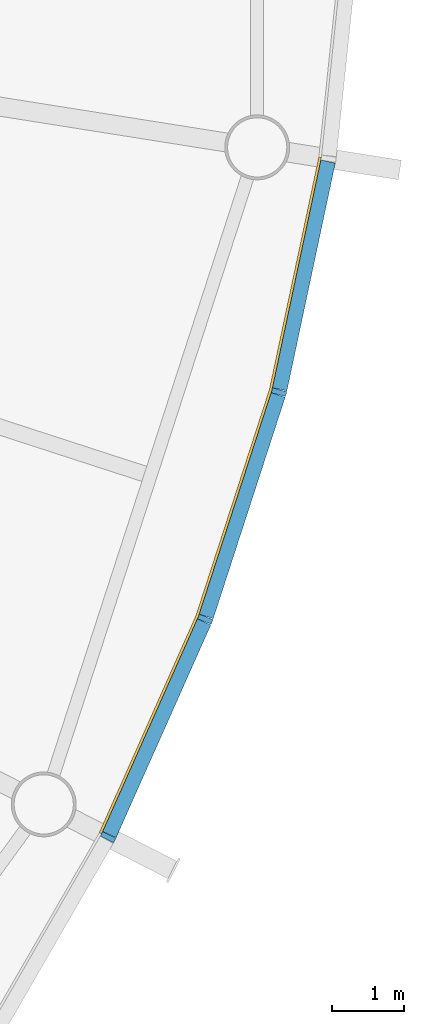
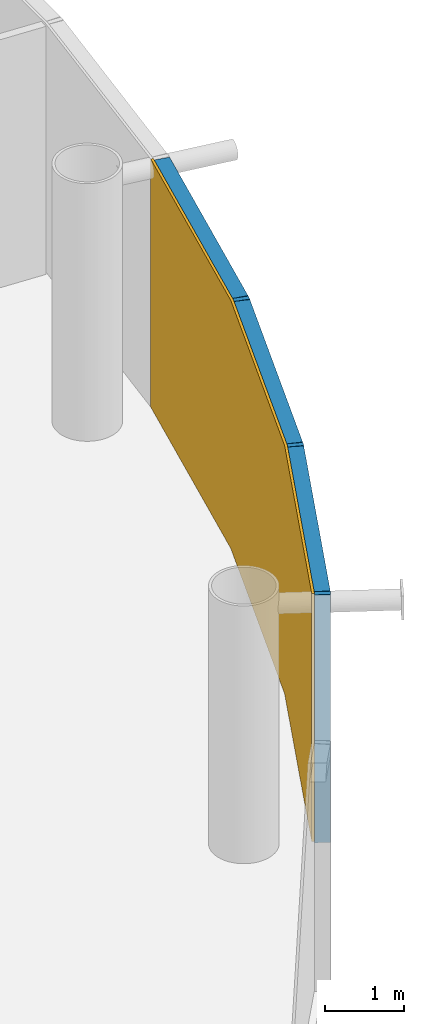
# One storey, part 15 of 19: 6 members, 1 curtain wall.
"""IFC4 building model written with IfcOpenShell, lengths in metres."""

from ifc_helpers import new_model, si_unit, direction, frame, origin, origin_2d, place, context, subcontext, project, spatial, polyline, rectangle, outline, extrude, material, layer, layer_set, material_profile, profile_set, type_object, element, aggregate, save


model = new_model("IFC4")

# Units and contexts
model_context = context("Model", 3, precision=1e-05, world=origin(), true_north=direction((0.0, 1.0)))
body_context = subcontext(model_context, "Body", "Model", "MODEL_VIEW")
ifc_project = project(units=[si_unit("LENGTHUNIT", "METRE"), si_unit("AREAUNIT", "SQUARE_METRE"), si_unit("VOLUMEUNIT", "CUBIC_METRE"), si_unit("PLANEANGLEUNIT", "RADIAN"), si_unit("MASSUNIT", "GRAM", prefix="KILO")], contexts=[model_context])

# Member
ifc_material_1 = material(Name="Anodised aluminium", Category="aluminium")
ifc_material_profile_1 = material_profile(ifc_material_1, rectangle(XDim=0.070068359375, YDim=0.205078125, at=origin_2d()), Name="Mullion 70 x 205 mm anodised aluminium")
ifc_profile_set_1 = profile_set([ifc_material_profile_1], Name="Anodised aluminium")
member_type_1 = type_object("IfcMemberType", Name="Mullion 70 x 205 mm anodised aluminium", PredefinedType="MULLION", material=ifc_profile_set_1)
site_placement = place(None, origin())
building_placement = place(site_placement, origin())
storey_placement = place(building_placement, frame((0.0, 0.0, 368.0)))
member_1_placement = place(storey_placement, frame((118.157958984375, 65.65283203125, 0.0), z_axis=(0.0, 0.0, 1.0), x_axis=(0.45399049974, 0.891006524188, 0.0)))
member_1 = element("IfcMember", 1, at=member_1_placement, type_object=member_type_1, Name="MULLION L85-54", PredefinedType="MULLION", context=body_context, shape_type="SweptSolid", body=[
    extrude(rectangle(XDim=0.070068359375, YDim=0.205078125, at=origin_2d()), origin(), (0.0, 0.0, 1.0), 3.85009765625),
])

member_2_placement = place(storey_placement, frame((119.50341796875, 68.674560546875, 0.0), z_axis=(0.0, 0.0, 1.0), x_axis=(0.358367949545, 0.933580426497, 0.0)))
member_2 = element("IfcMember", 2, at=member_2_placement, type_object=member_type_1, Name="MULLION L85-55", PredefinedType="MULLION", context=body_context, shape_type="SweptSolid", body=[
    extrude(rectangle(XDim=0.070068359375, YDim=0.205078125, at=origin_2d()), origin(), (0.0, 0.0, 1.0), 3.85009765625),
])

member_3_placement = place(storey_placement, frame((120.525634765625, 71.820556640625, 0.0), z_axis=(0.0, 0.0, 1.0), x_axis=(0.258819045103, 0.965925826289, 0.0)))
member_3 = element("IfcMember", 3, at=member_3_placement, type_object=member_type_1, Name="MULLION L85-56", PredefinedType="MULLION", context=body_context, shape_type="SweptSolid", body=[
    extrude(rectangle(XDim=0.070068359375, YDim=0.205078125, at=origin_2d()), origin(), (0.0, 0.0, 1.0), 3.85009765625),
])

ifc_material_2 = material(Name="Anodised aluminium", Category="aluminium")
ifc_material_profile_2 = material_profile(ifc_material_2, rectangle(XDim=0.205078125, YDim=0.195068359375, at=origin_2d()), Name="Transom 195 x 205 mm anodised aluminium")
ifc_profile_set_2 = profile_set([ifc_material_profile_2], Name="Anodised aluminium")
member_type_2 = type_object("IfcMemberType", Name="Transom 195 x 205 mm anodised aluminium", PredefinedType="USERDEFINED", material=ifc_profile_set_2)
member_4_placement = place(storey_placement, frame((118.174560546875, 65.689697265625, 3.75244140625), z_axis=(0.406791170024, 0.913521178731, 0.0), x_axis=(-0.913521178731, 0.406791170024, 0.0)))
member_4 = element("IfcMember", 4, at=member_4_placement, type_object=member_type_2, Name="TRANSOM L85-54", ObjectType="TRANSOM", PredefinedType="USERDEFINED", context=body_context, shape_type="SweptSolid", body=[
    extrude(rectangle(XDim=0.205078125, YDim=0.195068359375, at=origin_2d()), origin(), (0.0, 0.0, 1.0), 3.22705078125),
])

member_5_placement = place(storey_placement, frame((119.51611328125, 68.713134765625, 3.75244140625), z_axis=(0.309046726844, 0.951046855117, 0.0), x_axis=(-0.951046855117, 0.309046726844, 0.0)))
member_5 = element("IfcMember", 5, at=member_5_placement, type_object=member_type_2, Name="TRANSOM L85-55", ObjectType="TRANSOM", PredefinedType="USERDEFINED", context=body_context, shape_type="SweptSolid", body=[
    extrude(rectangle(XDim=0.205078125, YDim=0.195068359375, at=origin_2d()), origin(), (0.0, 0.0, 1.0), 3.22705078125),
])

member_6_placement = place(storey_placement, frame((120.5341796875, 71.860107421875, 3.75244140625), z_axis=(0.207885898771, 0.978153082647, 0.0), x_axis=(-0.978153082647, 0.207885898771, 0.0)))
member_6 = element("IfcMember", 6, at=member_6_placement, type_object=member_type_2, Name="TRANSOM L85-56", ObjectType="TRANSOM", PredefinedType="USERDEFINED", context=body_context, shape_type="SweptSolid", body=[
    extrude(rectangle(XDim=0.205078125, YDim=0.195068359375, at=origin_2d()), origin(), (0.0, 0.0, 1.0), 3.227294921875),
])

# Site, building, storey
site = spatial("IfcSite", under=ifc_project, at=site_placement, CompositionType="ELEMENT")
building = spatial("IfcBuilding", under=site, at=building_placement, Name="Entoto Ring Tower", CompositionType="ELEMENT")
storey = spatial("IfcBuildingStorey", under=building, at=storey_placement, Name="L85", CompositionType="ELEMENT", Elevation=368.0)

# Curtain wall
ifc_material_3 = material(Name="Clear low-iron glass", Category="glass")
ifc_layer = layer(ifc_material_3, 0.035888671875)
ifc_layer_set = layer_set([ifc_layer], Name="Clear low-iron glass")
curtain_wall_type = type_object("IfcCurtainWallType", Name="Curtain wall system CW6 glazing 36 mm", PredefinedType="NOTDEFINED", material=ifc_layer_set)
curtain_wall_placement = place(storey_placement, origin())
curtain_wall = element("IfcCurtainWall", 7, at=curtain_wall_placement, inside=storey, type_object=curtain_wall_type, Name="CW6 L85-19", PredefinedType="NOTDEFINED", context=body_context, shape_type="SweptSolid", body=[
    extrude(outline(polyline([(118.066650390625, 65.69921875), (119.40771484375, 68.71142578125), (120.4267578125, 71.84716796875), (121.1123046875, 75.072265625), (121.07666015625, 75.077880859375), (120.391845703125, 71.8564453125), (119.3740234375, 68.724365234375), (118.03466796875, 65.715576171875), (118.066650390625, 65.69921875)])), origin(), (0.0, 0.0, 1.0), 3.85009765625),
])

aggregate(curtain_wall, [member_1, member_2, member_3, member_4, member_5, member_6])

save(model, "model.ifc")
